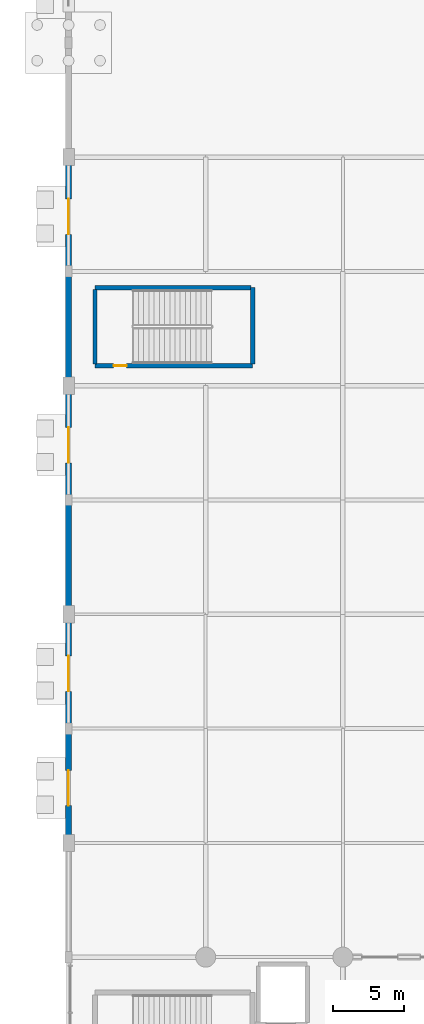
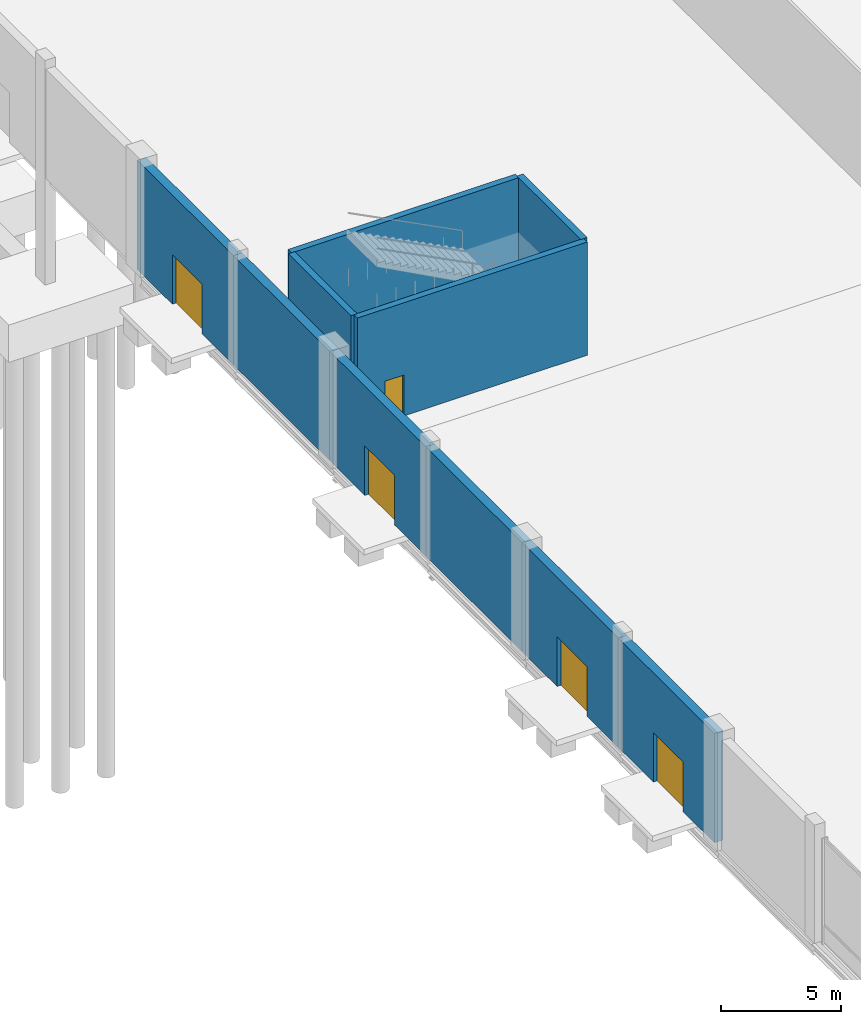
# One storey, part 77 of 124: 10 walls, 5 doors, 5 openings.
"""IFC4 building model written with IfcOpenShell, lengths in metres."""

from ifc_helpers import new_model, si_unit, direction, frame, frame_2d, origin, place, context, subcontext, project, spatial, rectangle, extrude, material, layer, layer_set, type_object, element, fill, save


model = new_model("IFC4")

# Units and contexts
model_context = context("Model", 3, precision=1e-05, world=origin(), true_north=direction((0.0, 1.0)))
body_context = subcontext(model_context, "Body", "Model", "MODEL_VIEW")
ifc_project = project(units=[si_unit("LENGTHUNIT", "METRE"), si_unit("AREAUNIT", "SQUARE_METRE"), si_unit("VOLUMEUNIT", "CUBIC_METRE"), si_unit("PLANEANGLEUNIT", "RADIAN"), si_unit("MASSUNIT", "GRAM", prefix="KILO")], contexts=[model_context])

# Site, building, storey
site_placement = place(None, origin())
site = spatial("IfcSite", under=ifc_project, at=site_placement, CompositionType="ELEMENT")
building_placement = place(site_placement, origin())
building = spatial("IfcBuilding", under=site, at=building_placement, Name="Danafjord Basin Convention Centre", CompositionType="ELEMENT")
storey_placement = place(building_placement, origin())
storey = spatial("IfcBuildingStorey", under=building, at=storey_placement, Name="L00", CompositionType="ELEMENT", Elevation=0.0)

# Wall, opening, door
ifc_material_1 = material(Name="Concrete C40/50", Category="concrete")
ifc_layer_1 = layer(ifc_material_1, 0.300048828125)
ifc_layer_set_1 = layer_set([ifc_layer_1], Name="Concrete C40/50")
wall_type_1 = type_object("IfcWallType", Name="WALL-CW-CORE300", PredefinedType="SHEAR", material=ifc_layer_set_1)
wall_1_placement = place(storey_placement, frame((12.889892578125, 97.39990234375, 0.0), z_axis=(0.0, 0.0, 1.0), x_axis=(-1.0, 0.0, 0.0)))
wall_1 = element("IfcWall", 1, at=wall_1_placement, inside=storey, type_object=wall_type_1, Name="West Exhibition Perimeter Stair core shear wall (south)", PredefinedType="SHEAR", context=body_context, shape_type="SweptSolid", body=[
    extrude(rectangle(XDim=11.039794921875, YDim=0.300048828125, at=frame_2d((5.52001953125, 0.0))), origin(), (0.0, 0.0, 1.0), 5.75),
])
opening_1_placement = place(wall_1_placement, frame((8.818115234375, 0.0, 0.0)))
opening_1 = element("IfcOpeningElement", 2, at=opening_1_placement, cuts=wall_1, Name="Opening FD-S01", PredefinedType="OPENING", context=body_context, shape_type="SweptSolid", body=[
    extrude(rectangle(XDim=0.909912109375, YDim=2.080078125, at=frame_2d((0.455078125, 1.0400390625))), frame((0.0, 0.159912109375, 0.0), z_axis=(0.0, -1.0, 0.0), x_axis=(1.0, 0.0, 0.0)), (0.0, 0.0, 1.0), 0.320068359375),
])
ifc_material_2 = material(Name="Powder-coated steel and Nordic oak", Category="steel")
door_type_1 = type_object("IfcDoorType", Name="DOOR-FD-S01", OperationType="NOTDEFINED", PredefinedType="DOOR", material=ifc_material_2)
door_1_placement = place(opening_1_placement, origin())
door_1 = element("IfcDoor", 3, at=door_1_placement, inside=storey, type_object=door_type_1, Name="West Exhibition Perimeter Stair L00 Fire Exit Door", OperationType="SINGLE_SWING_RIGHT", OverallHeight=2.080078125, OverallWidth=0.909912109375, PredefinedType="DOOR", context=body_context, shape_type="SweptSolid", body=[
    extrude(rectangle(XDim=0.909912109375, YDim=2.080078125, at=frame_2d((0.455078125, 1.0400390625))), frame((0.0, 0.02490234375, 0.0), z_axis=(0.0, -1.0, 0.0), x_axis=(1.0, 0.0, 0.0)), (0.0, 0.0, 1.0), 0.050048828125),
])
fill(opening_1, door_1)

# Walls
wall_2_placement = place(storey_placement, frame((12.889892578125, 102.860107421875, 0.0), z_axis=(0.0, 0.0, 1.0), x_axis=(0.0, -1.0, 0.0)))
element("IfcWall", 4, at=wall_2_placement, inside=storey, type_object=wall_type_1, Name="West Exhibition Perimeter Stair core shear wall (east)", PredefinedType="SHEAR", context=body_context, shape_type="SweptSolid", body=[
    extrude(rectangle(XDim=5.3251953125, YDim=0.300048828125, at=frame_2d((2.66259765625, 0.0))), origin(), (0.0, 0.0, 1.0), 5.75),
])
wall_3_placement = place(storey_placement, frame((1.85009765625, 102.860107421875, 0.0), z_axis=(0.0, 0.0, 1.0), x_axis=(1.0, 0.0, 0.0)))
element("IfcWall", 5, at=wall_3_placement, inside=storey, type_object=wall_type_1, Name="West Exhibition Perimeter Stair core shear wall (north)", PredefinedType="SHEAR", context=body_context, shape_type="SweptSolid", body=[
    extrude(rectangle(XDim=10.90478515625, YDim=0.300048828125, at=frame_2d((5.452392578125, 0.0))), origin(), (0.0, 0.0, 1.0), 5.75),
])
wall_4_placement = place(storey_placement, frame((1.85009765625, 97.534912109375, 0.0), z_axis=(0.0, 0.0, 1.0), x_axis=(0.0, 1.0, 0.0)))
element("IfcWall", 6, at=wall_4_placement, inside=storey, type_object=wall_type_1, Name="West Exhibition Perimeter Stair core shear wall (west)", PredefinedType="SHEAR", context=body_context, shape_type="SweptSolid", body=[
    extrude(rectangle(XDim=5.190185546875, YDim=0.300048828125, at=frame_2d((2.59521484375, 0.0))), origin(), (0.0, 0.0, 1.0), 5.75),
])

# Wall, opening, door
ifc_material_3 = material(Name="Precast concrete C45/55", Category="concrete")
ifc_layer_2 = layer(ifc_material_3, 0.419921875)
ifc_layer_set_2 = layer_set([ifc_layer_2], Name="Precast concrete C45/55")
wall_type_2 = type_object("IfcWallType", Name="WALL-EW-PC420", PredefinedType="SOLIDWALL", material=ifc_layer_set_2)
wall_5_placement = place(storey_placement, frame((0.0, 64.0, 0.0), z_axis=(0.0, 0.0, 1.0), x_axis=(0.0, 1.0, 0.0)))
wall_5 = element("IfcWall", 7, at=wall_5_placement, inside=storey, type_object=wall_type_2, Name="Exhibition hall W precast wall bay 2", PredefinedType="SOLIDWALL", context=body_context, shape_type="SweptSolid", body=[
    extrude(rectangle(XDim=8.0, YDim=0.419921875, at=frame_2d((4.0, 0.0))), origin(), (0.0, 0.0, 1.0), 5.550048828125),
])
opening_2_placement = place(wall_5_placement, frame((2.60009765625, 0.0, 0.0)))
opening_2 = element("IfcOpeningElement", 8, at=opening_2_placement, cuts=wall_5, Name="Opening ED-02", PredefinedType="OPENING", context=body_context, shape_type="SweptSolid", body=[
    extrude(rectangle(XDim=2.47998046875, YDim=2.52001953125, at=frame_2d((1.239990234375, 1.260009765625))), frame((0.0, 0.219970703125, 0.0), z_axis=(0.0, -1.0, 0.0), x_axis=(1.0, 0.0, 0.0)), (0.0, 0.0, 1.0), 0.43994140625),
])
ifc_material_4 = material(Name="Thermally broken anodised aluminium and steel", Category="steel")
door_type_2 = type_object("IfcDoorType", Name="DOOR-ED-02", OperationType="DOUBLE_DOOR_SINGLE_SWING", PredefinedType="DOOR", material=ifc_material_4)
door_2_placement = place(opening_2_placement, origin())
door_2 = element("IfcDoor", 9, at=door_2_placement, inside=storey, type_object=door_type_2, Name="Exhibition Hall W Exit Door", OperationType="DOUBLE_DOOR_SINGLE_SWING", OverallHeight=2.52001953125, OverallWidth=2.47998046875, PredefinedType="DOOR", context=body_context, shape_type="SweptSolid", body=[
    extrude(rectangle(XDim=2.47998046875, YDim=2.52001953125, at=frame_2d((1.239990234375, 1.260009765625))), frame((0.0, 0.02490234375, 0.0), z_axis=(0.0, -1.0, 0.0), x_axis=(1.0, 0.0, 0.0)), (0.0, 0.0, 1.0), 0.050048828125),
])
fill(opening_2, door_2)

wall_6_placement = place(storey_placement, frame((0.0, 72.0, 0.0), z_axis=(0.0, 0.0, 1.0), x_axis=(0.0, 1.0, 0.0)))
wall_6 = element("IfcWall", 10, at=wall_6_placement, inside=storey, type_object=wall_type_2, Name="Exhibition hall W precast wall bay 3", PredefinedType="SOLIDWALL", context=body_context, shape_type="SweptSolid", body=[
    extrude(rectangle(XDim=8.0, YDim=0.419921875, at=frame_2d((4.0, 0.0))), origin(), (0.0, 0.0, 1.0), 5.550048828125),
])
opening_3_placement = place(wall_6_placement, frame((2.60009765625, 0.0, 0.0)))
opening_3 = element("IfcOpeningElement", 11, at=opening_3_placement, cuts=wall_6, Name="Opening ED-02", PredefinedType="OPENING", context=body_context, shape_type="SweptSolid", body=[
    extrude(rectangle(XDim=2.47998046875, YDim=2.52001953125, at=frame_2d((1.239990234375, 1.260009765625))), frame((0.0, 0.219970703125, 0.0), z_axis=(0.0, -1.0, 0.0), x_axis=(1.0, 0.0, 0.0)), (0.0, 0.0, 1.0), 0.43994140625),
])
door_3_placement = place(opening_3_placement, origin())
door_3 = element("IfcDoor", 12, at=door_3_placement, inside=storey, type_object=door_type_2, Name="Exhibition Hall W Exit Door", OperationType="DOUBLE_DOOR_SINGLE_SWING", OverallHeight=2.52001953125, OverallWidth=2.47998046875, PredefinedType="DOOR", context=body_context, shape_type="SweptSolid", body=[
    extrude(rectangle(XDim=2.47998046875, YDim=2.52001953125, at=frame_2d((1.239990234375, 1.260009765625))), frame((0.0, 0.02490234375, 0.0), z_axis=(0.0, -1.0, 0.0), x_axis=(1.0, 0.0, 0.0)), (0.0, 0.0, 1.0), 0.050048828125),
])
fill(opening_3, door_3)

# Wall
wall_7_placement = place(storey_placement, frame((0.0, 80.0, 0.0), z_axis=(0.0, 0.0, 1.0), x_axis=(0.0, 1.0, 0.0)))
element("IfcWall", 13, at=wall_7_placement, inside=storey, type_object=wall_type_2, Name="Exhibition hall W precast wall bay 4", PredefinedType="SOLIDWALL", context=body_context, shape_type="SweptSolid", body=[
    extrude(rectangle(XDim=8.0, YDim=0.419921875, at=frame_2d((4.0, 0.0))), origin(), (0.0, 0.0, 1.0), 5.550048828125),
])

# Wall, opening, door
wall_8_placement = place(storey_placement, frame((0.0, 88.0, 0.0), z_axis=(0.0, 0.0, 1.0), x_axis=(0.0, 1.0, 0.0)))
wall_8 = element("IfcWall", 14, at=wall_8_placement, inside=storey, type_object=wall_type_2, Name="Exhibition hall W precast wall bay 5", PredefinedType="SOLIDWALL", context=body_context, shape_type="SweptSolid", body=[
    extrude(rectangle(XDim=8.0, YDim=0.419921875, at=frame_2d((4.0, 0.0))), origin(), (0.0, 0.0, 1.0), 5.550048828125),
])
opening_4_placement = place(wall_8_placement, frame((2.60009765625, 0.0, 0.0)))
opening_4 = element("IfcOpeningElement", 15, at=opening_4_placement, cuts=wall_8, Name="Opening ED-02", PredefinedType="OPENING", context=body_context, shape_type="SweptSolid", body=[
    extrude(rectangle(XDim=2.47998046875, YDim=2.52001953125, at=frame_2d((1.239990234375, 1.260009765625))), frame((0.0, 0.219970703125, 0.0), z_axis=(0.0, -1.0, 0.0), x_axis=(1.0, 0.0, 0.0)), (0.0, 0.0, 1.0), 0.43994140625),
])
door_4_placement = place(opening_4_placement, origin())
door_4 = element("IfcDoor", 16, at=door_4_placement, inside=storey, type_object=door_type_2, Name="Exhibition Hall W Exit Door", OperationType="DOUBLE_DOOR_SINGLE_SWING", OverallHeight=2.52001953125, OverallWidth=2.47998046875, PredefinedType="DOOR", context=body_context, shape_type="SweptSolid", body=[
    extrude(rectangle(XDim=2.47998046875, YDim=2.52001953125, at=frame_2d((1.239990234375, 1.260009765625))), frame((0.0, 0.02490234375, 0.0), z_axis=(0.0, -1.0, 0.0), x_axis=(1.0, 0.0, 0.0)), (0.0, 0.0, 1.0), 0.050048828125),
])
fill(opening_4, door_4)

# Wall
wall_9_placement = place(storey_placement, frame((0.0, 96.0, 0.0), z_axis=(0.0, 0.0, 1.0), x_axis=(0.0, 1.0, 0.0)))
element("IfcWall", 17, at=wall_9_placement, inside=storey, type_object=wall_type_2, Name="Exhibition hall W precast wall bay 6", PredefinedType="SOLIDWALL", context=body_context, shape_type="SweptSolid", body=[
    extrude(rectangle(XDim=8.0, YDim=0.419921875, at=frame_2d((4.0, 0.0))), origin(), (0.0, 0.0, 1.0), 5.550048828125),
])

# Wall, opening, door
wall_10_placement = place(storey_placement, frame((0.0, 104.0, 0.0), z_axis=(0.0, 0.0, 1.0), x_axis=(0.0, 1.0, 0.0)))
wall_10 = element("IfcWall", 18, at=wall_10_placement, inside=storey, type_object=wall_type_2, Name="Exhibition hall W precast wall bay 7", PredefinedType="SOLIDWALL", context=body_context, shape_type="SweptSolid", body=[
    extrude(rectangle(XDim=8.0, YDim=0.419921875, at=frame_2d((4.0, 0.0))), origin(), (0.0, 0.0, 1.0), 5.550048828125),
])
opening_5_placement = place(wall_10_placement, frame((2.60009765625, 0.0, 0.0)))
opening_5 = element("IfcOpeningElement", 19, at=opening_5_placement, cuts=wall_10, Name="Opening ED-02", PredefinedType="OPENING", context=body_context, shape_type="SweptSolid", body=[
    extrude(rectangle(XDim=2.47998046875, YDim=2.52001953125, at=frame_2d((1.239990234375, 1.260009765625))), frame((0.0, 0.219970703125, 0.0), z_axis=(0.0, -1.0, 0.0), x_axis=(1.0, 0.0, 0.0)), (0.0, 0.0, 1.0), 0.43994140625),
])
door_5_placement = place(opening_5_placement, origin())
door_5 = element("IfcDoor", 20, at=door_5_placement, inside=storey, type_object=door_type_2, Name="Exhibition Hall W Exit Door", OperationType="DOUBLE_DOOR_SINGLE_SWING", OverallHeight=2.52001953125, OverallWidth=2.47998046875, PredefinedType="DOOR", context=body_context, shape_type="SweptSolid", body=[
    extrude(rectangle(XDim=2.47998046875, YDim=2.52001953125, at=frame_2d((1.239990234375, 1.260009765625))), frame((0.0, 0.02490234375, 0.0), z_axis=(0.0, -1.0, 0.0), x_axis=(1.0, 0.0, 0.0)), (0.0, 0.0, 1.0), 0.050048828125),
])
fill(opening_5, door_5)

save(model, "model.ifc")
